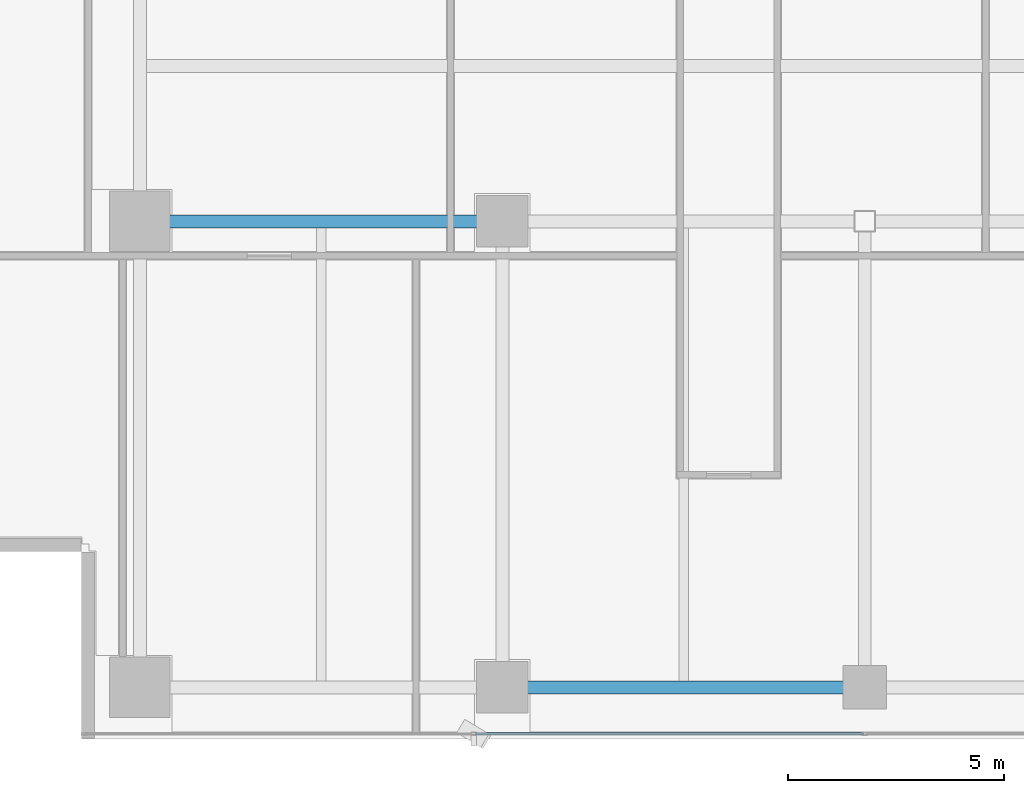
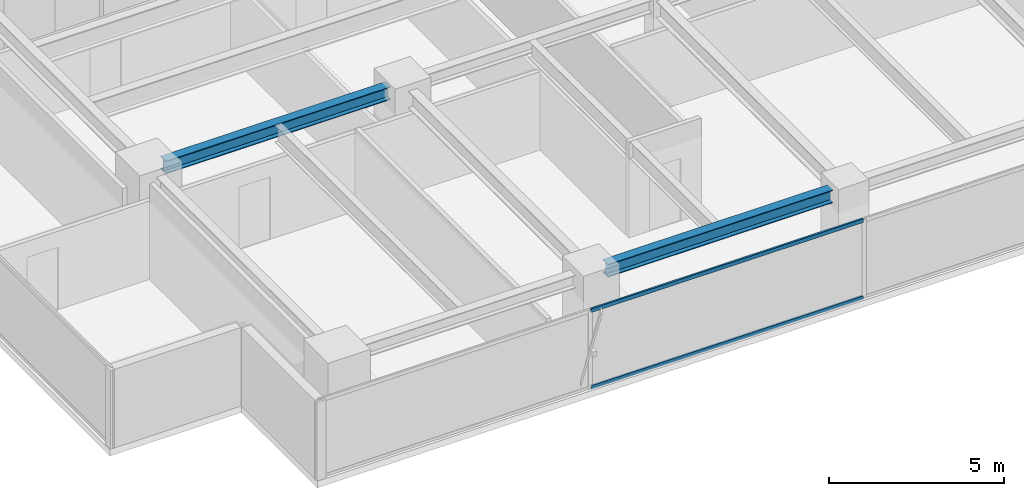
# One storey, part 5 of 26: 2 beams, 2 members, 1 element without a shape of its own.
"""IFC4 building model written with IfcOpenShell, lengths in metres."""

from ifc_helpers import new_model, si_unit, direction, frame, origin, origin_2d, place, context, subcontext, project, spatial, hollow_rectangle, i_section, extrude, source, transform, mapped, material, layer, layer_set, material_profile, profile_set, type_object, element, aggregate, save


model = new_model("IFC4")

# Units and contexts
model_context = context("Model", 3, precision=1e-05, world=origin(), true_north=direction((0.0, 1.0)))
body_context = subcontext(model_context, "Body", "Model", "MODEL_VIEW")
ifc_project = project(units=[si_unit("LENGTHUNIT", "METRE"), si_unit("AREAUNIT", "SQUARE_METRE"), si_unit("VOLUMEUNIT", "CUBIC_METRE"), si_unit("PLANEANGLEUNIT", "RADIAN"), si_unit("MASSUNIT", "GRAM", prefix="KILO")], contexts=[model_context])

# Site, building, storey
site_placement = place(None, origin())
site = spatial("IfcSite", under=ifc_project, at=site_placement, CompositionType="ELEMENT")
building_placement = place(site_placement, origin())
building = spatial("IfcBuilding", under=site, at=building_placement, Name="Sumidabori Civic Tower", CompositionType="ELEMENT")
storey_placement = place(building_placement, frame((0.0, 0.0, 243.199951171875)))
storey = spatial("IfcBuildingStorey", under=building, at=storey_placement, Name="L63", CompositionType="ELEMENT", Elevation=243.199951171875)

# Beams
ifc_material_1 = material(Name="Steel SN490", Category="steel")
ifc_material_profile_1 = material_profile(ifc_material_1, i_section(OverallWidth=0.300048828125, OverallDepth=0.449951171875, WebThickness=0.013916015625, FlangeThickness=0.02587890625, at=origin_2d()), Name="HE 450 B")
ifc_profile_set_1 = profile_set([ifc_material_profile_1], Name="Steel SN490")
beam_type = type_object("IfcBeamType", Name="BM-GIRD-450", PredefinedType="BEAM", material=ifc_profile_set_1)
shared_shape_1 = source(origin(), body_context, "Body", "SweptSolid", [
    extrude(i_section(OverallWidth=0.300048828125, OverallDepth=0.449951171875, WebThickness=0.013916015625, FlangeThickness=0.02587890625, at=origin_2d()), origin(), (0.0, 0.0, 1.0), 7.440185546875),
])
beam_1_placement = place(storey_placement, frame((-16.320068359375, 0.0, 3.14501953125), z_axis=(1.0, 0.0, 0.0), x_axis=(0.0, 1.0, 0.0)))
element("IfcBeam", 1, at=beam_1_placement, inside=storey, type_object=beam_type, Name="Primary Girder L63 GX-05", PredefinedType="BEAM", context=body_context, shape_type="MappedRepresentation", body=[
    mapped(shared_shape_1, transform((0.0, 0.0, 0.0), x_axis=(1.0, 0.0, 0.0), y_axis=(0.0, 1.0, 0.0), z_axis=(0.0, 0.0, 1.0), scale=1.0)),
])
shared_shape_2 = source(origin(), body_context, "Body", "SweptSolid", [
    extrude(i_section(OverallWidth=0.300048828125, OverallDepth=0.449951171875, WebThickness=0.013916015625, FlangeThickness=0.02587890625, at=origin_2d()), origin(), (0.0, 0.0, 1.0), 7.43994140625),
])
beam_2_placement = place(storey_placement, frame((-7.919921875, -10.800048828125, 3.14501953125), z_axis=(1.0, 0.0, 0.0), x_axis=(0.0, 1.0, 0.0)))
element("IfcBeam", 2, at=beam_2_placement, inside=storey, type_object=beam_type, Name="Primary Girder L63 GX-02", PredefinedType="BEAM", context=body_context, shape_type="MappedRepresentation", body=[
    mapped(shared_shape_2, transform((0.0, 0.0, 0.0), x_axis=(1.0, 0.0, 0.0), y_axis=(0.0, 1.0, 0.0), z_axis=(0.0, 0.0, 1.0), scale=1.0)),
])

# Curtain wall, members
ifc_material_2 = material(Name="Anodised Bronze Aluminium AW-6063-T6", Category="aluminium")
ifc_layer = layer(ifc_material_2, 0.179931640625, Name="Anodised Bronze Aluminium AW-6063-T6")
ifc_layer_set = layer_set([ifc_layer], Name="Anodised Bronze Aluminium AW-6063-T6")
curtain_wall_type = type_object("IfcCurtainWallType", Name="CW-SYS-5", PredefinedType="NOTDEFINED", material=ifc_layer_set)
curtain_wall_placement = place(storey_placement, origin())
curtain_wall = element("IfcCurtainWall", 3, at=curtain_wall_placement, inside=storey, type_object=curtain_wall_type, Name="Curtain Wall CW:L63:R01", PredefinedType="NOTDEFINED")
ifc_material_profile_2 = material_profile(ifc_material_2, hollow_rectangle(XDim=0.06005859375, YDim=0.1298828125, WallThickness=0.0048828125, at=origin_2d()), Name="ALU TRANSOM 130x60")
ifc_profile_set_2 = profile_set([ifc_material_profile_2], Name="Anodised Bronze Aluminium AW-6063-T6")
member_type = type_object("IfcMemberType", Name="CW-TRN-130", PredefinedType="USERDEFINED", material=ifc_profile_set_2)
shared_shape_3 = source(origin(), body_context, "Body", "SweptSolid", [
    extrude(hollow_rectangle(XDim=0.06005859375, YDim=0.1298828125, WallThickness=0.0048828125, at=origin_2d()), origin(), (0.0, 0.0, 1.0), 9.0),
])
member_1_placement = place(storey_placement, frame((-9.030029296875, -11.8798828125, 0.030029296875), z_axis=(1.0, 0.0, 0.0), x_axis=(0.0, 1.0, 0.0)))
member_1 = element("IfcMember", 4, at=member_1_placement, type_object=member_type, Name="CW-5 transom 2.1", ObjectType="TRANSOM", PredefinedType="USERDEFINED", context=body_context, shape_type="MappedRepresentation", body=[
    mapped(shared_shape_3, transform((0.0, 0.0, 0.0), x_axis=(1.0, 0.0, 0.0), y_axis=(0.0, 1.0, 0.0), z_axis=(0.0, 0.0, 1.0), scale=1.0)),
])
member_2_placement = place(storey_placement, frame((-9.030029296875, -11.8798828125, 2.719970703125), z_axis=(1.0, 0.0, 0.0), x_axis=(0.0, 1.0, 0.0)))
member_2 = element("IfcMember", 5, at=member_2_placement, type_object=member_type, Name="CW-5 transom 2.2", ObjectType="TRANSOM", PredefinedType="USERDEFINED", context=body_context, shape_type="MappedRepresentation", body=[
    mapped(shared_shape_3, transform((0.0, 0.0, 0.0), x_axis=(1.0, 0.0, 0.0), y_axis=(0.0, 1.0, 0.0), z_axis=(0.0, 0.0, 1.0), scale=1.0)),
])
aggregate(curtain_wall, [member_1, member_2])

save(model, "model.ifc")
